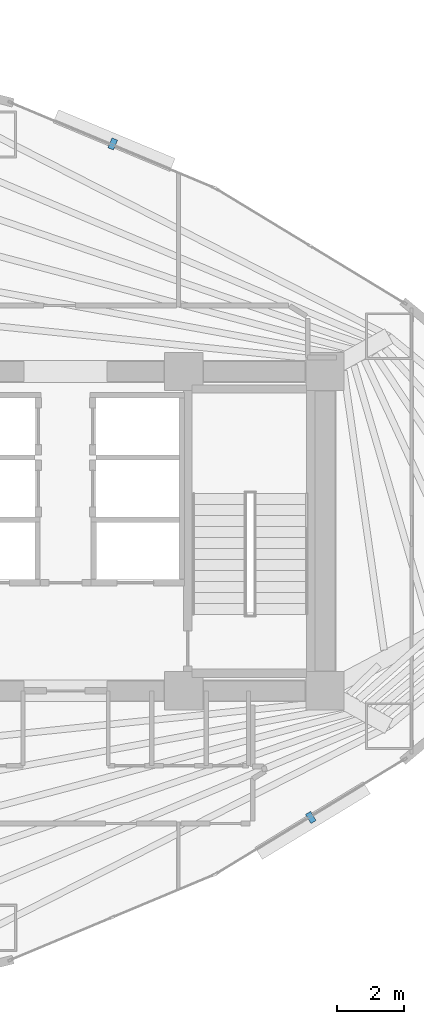
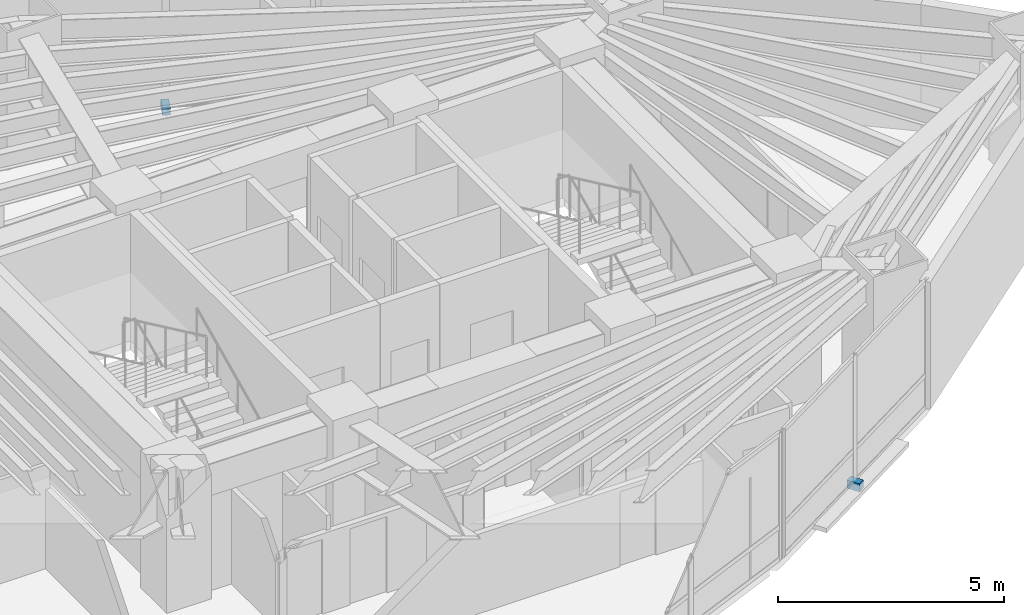
# One storey, part 16 of 18: 2 discrete accessories.
"""IFC4 building model written with IfcOpenShell, lengths in metres."""

from ifc_helpers import new_model, si_unit, direction, frame, origin, origin_2d, place, context, subcontext, project, spatial, rectangle, extrude, material, type_object, element, save


model = new_model("IFC4")

# Units and contexts
model_context = context("Model", 3, precision=1e-05, world=origin(), true_north=direction((0.0, 1.0)))
body_context = subcontext(model_context, "Body", "Model", "MODEL_VIEW")
ifc_project = project(units=[si_unit("LENGTHUNIT", "METRE"), si_unit("AREAUNIT", "SQUARE_METRE"), si_unit("VOLUMEUNIT", "CUBIC_METRE"), si_unit("PLANEANGLEUNIT", "RADIAN"), si_unit("MASSUNIT", "GRAM", prefix="KILO")], contexts=[model_context])

# Site, building, storey
site_placement = place(None, origin())
site = spatial("IfcSite", under=ifc_project, at=site_placement, CompositionType="ELEMENT")
building_placement = place(site_placement, origin())
building = spatial("IfcBuilding", under=site, at=building_placement, Name="Menara Vayukalpa", CompositionType="ELEMENT")
storey_placement = place(building_placement, frame((0.0, 0.0, 53.639892578125)))
storey = spatial("IfcBuildingStorey", under=building, at=storey_placement, Name="L12", CompositionType="ELEMENT", Elevation=53.639892578125)

# Discrete accessories
ifc_material = material(Name="Stainless Steel 316 Sunshade Bracket", Category="steel")
discrete_accessory_type = type_object("IfcDiscreteAccessoryType", Name="ACC-BRK1", PredefinedType="BRACKET", material=ifc_material)
for number, where, z_axis, x_axis, name in (
    (1, (27.018310546875, 33.638916015625, -0.15966796875), (0.0, 0.0, 1.0), (-0.922544824647, 0.385889940938, 0.0), "L12 Terracotta Sunshade Bracket 05"),
    (2, (32.9716796875, 13.39306640625, -0.15966796875), (0.0, 0.0, 1.0), (0.85466730962, 0.519176068272, 0.0), "L12 Terracotta Sunshade Bracket 17"),
):
    element("IfcDiscreteAccessory", number, at=place(storey_placement, frame(where, z_axis=z_axis, x_axis=x_axis)), inside=storey, type_object=discrete_accessory_type, Name=name, PredefinedType="BRACKET", context=body_context, shape_type="SweptSolid", body=[
        extrude(rectangle(XDim=0.179931640625, YDim=0.320068359375, at=origin_2d()), origin(), (0.0, 0.0, 1.0), 0.219970703125),
    ])

save(model, "model.ifc")
